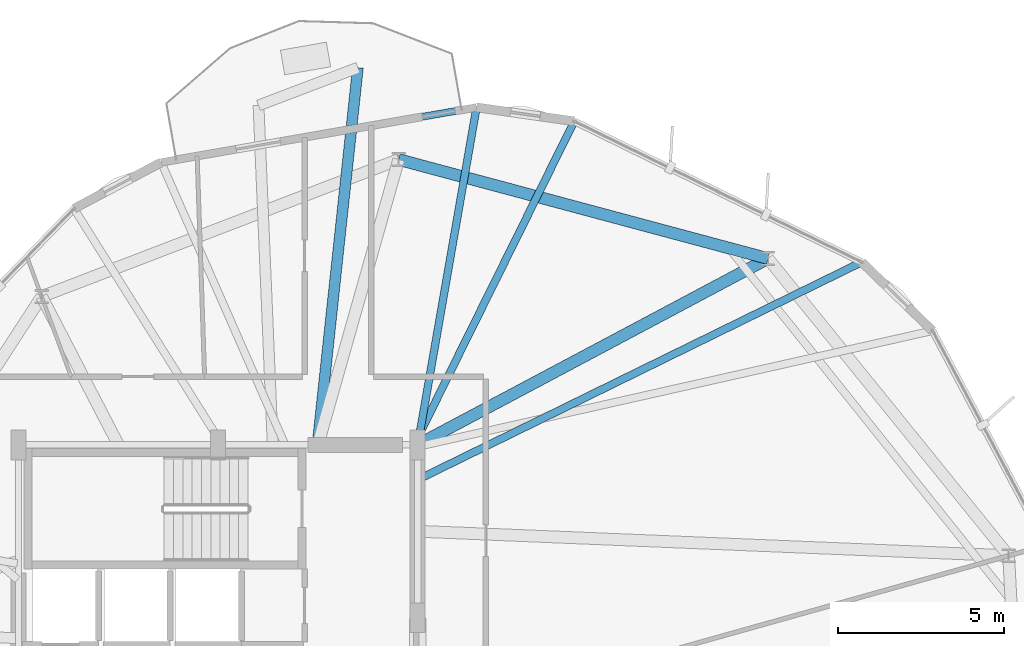
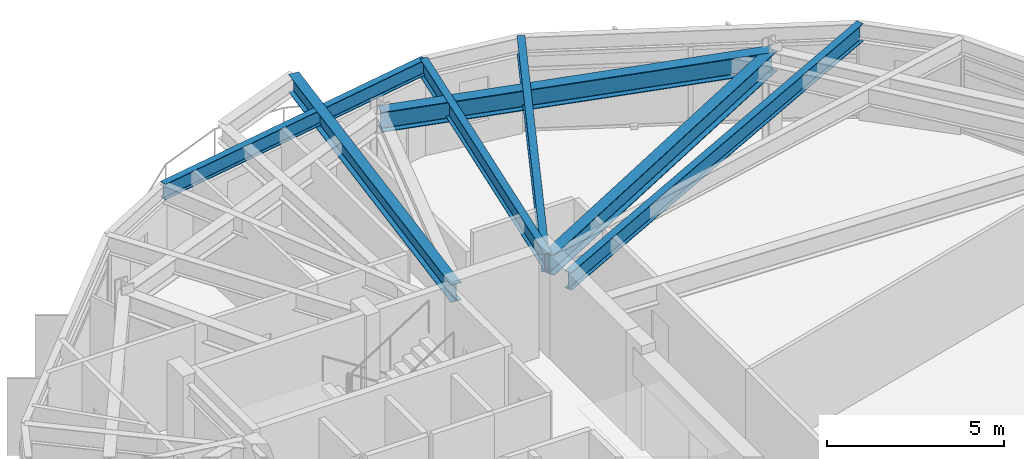
# One storey, part 18 of 28: 7 beams.
"""IFC4 building model written with IfcOpenShell, lengths in metres."""

from ifc_helpers import new_model, si_unit, direction, frame, origin, origin_2d, place, context, subcontext, project, spatial, i_section, extrude, material, material_profile, profile_set, type_object, element, save


model = new_model("IFC4")

# Units and contexts
model_context = context("Model", 3, precision=1e-05, world=origin(), true_north=direction((0.0, 1.0)))
body_context = subcontext(model_context, "Body", "Model", "MODEL_VIEW")
ifc_project = project(units=[si_unit("LENGTHUNIT", "METRE"), si_unit("AREAUNIT", "SQUARE_METRE"), si_unit("VOLUMEUNIT", "CUBIC_METRE"), si_unit("PLANEANGLEUNIT", "RADIAN"), si_unit("MASSUNIT", "GRAM", prefix="KILO")], contexts=[model_context])

# Site, building, storey
site_placement = place(None, origin())
site = spatial("IfcSite", under=ifc_project, at=site_placement, CompositionType="ELEMENT")
building_placement = place(site_placement, origin())
building = spatial("IfcBuilding", under=site, at=building_placement, Name="Soratama Intermodal Tower", CompositionType="ELEMENT")
storey_placement = place(building_placement, frame((0.0, 0.0, 201.39990234375)))
storey = spatial("IfcBuildingStorey", under=building, at=storey_placement, Name="L50", CompositionType="ELEMENT", Elevation=201.39990234375)

# Beams
ifc_material_1 = material(Name="Structural steel ASTM A992 Grade 50", Category="steel")
ifc_material_profile_1 = material_profile(ifc_material_1, i_section(OverallWidth=0.324951171875, OverallDepth=0.615966796875, WebThickness=0.013916015625, FlangeThickness=0.021484375, FilletRadius=0.013916015625, at=origin_2d()), Name="W24X117")
ifc_profile_set_1 = profile_set([ifc_material_profile_1], Name="Structural steel ASTM A992 Grade 50")
beam_type_1 = type_object("IfcBeamType", Name="BM-CANT-W24X117", PredefinedType="BEAM", material=ifc_profile_set_1)
beam_1_placement = place(storey_placement, frame((41.591064453125, 35.0400390625, 2.9921875), z_axis=(0.106581682057, 0.994303950032, 0.0), x_axis=(-0.994303950032, 0.106581682057, 0.0)))
element("IfcBeam", 1, at=beam_1_placement, inside=storey, type_object=beam_type_1, Name="BM-L50-CANT-2-1", PredefinedType="BEAM", context=body_context, shape_type="SweptSolid", body=[
    extrude(i_section(OverallWidth=0.324951171875, OverallDepth=0.615966796875, WebThickness=0.013916015625, FlangeThickness=0.021484375, FilletRadius=0.013916015625, at=origin_2d()), origin(), (0.0, 0.0, 1.0), 11.361572265625),
])
ifc_material_2 = material(Name="Structural steel ASTM A992 Grade 50", Category="steel")
ifc_material_profile_2 = material_profile(ifc_material_2, i_section(OverallWidth=0.35498046875, OverallDepth=0.695068359375, WebThickness=0.015380859375, FlangeThickness=0.02490234375, FilletRadius=0.01611328125, at=origin_2d()), Name="W27X146")
ifc_profile_set_2 = profile_set([ifc_material_profile_2], Name="Structural steel ASTM A992 Grade 50")
beam_type_2 = type_object("IfcBeamType", Name="BM-RING-W27X146", PredefinedType="BEAM", material=ifc_profile_set_2)
beam_2_placement = place(storey_placement, frame((55.1298828125, 40.59912109375, 2.95263671875), z_axis=(-0.965907374298, 0.258887899055, 0.0), x_axis=(-0.258887899055, -0.965907374298, 0.0)))
element("IfcBeam", 2, at=beam_2_placement, inside=storey, type_object=beam_type_2, Name="BM-L50-RING-02", PredefinedType="BEAM", context=body_context, shape_type="SweptSolid", body=[
    extrude(i_section(OverallWidth=0.35498046875, OverallDepth=0.695068359375, WebThickness=0.015380859375, FlangeThickness=0.02490234375, FilletRadius=0.01611328125, at=origin_2d()), origin(), (0.0, 0.0, 1.0), 11.49462890625),
])
beam_3_placement = place(storey_placement, frame((44.60009765625, 35.0, 2.95263671875), z_axis=(0.882935948236, 0.469493462482, 0.0), x_axis=(-0.469493462482, 0.882935948236, 0.0)))
element("IfcBeam", 3, at=beam_3_placement, inside=storey, type_object=beam_type_2, Name="BM-L50-RAD-02", PredefinedType="BEAM", context=body_context, shape_type="SweptSolid", body=[
    extrude(i_section(OverallWidth=0.35498046875, OverallDepth=0.695068359375, WebThickness=0.015380859375, FlangeThickness=0.02490234375, FilletRadius=0.01611328125, at=origin_2d()), origin(), (0.0, 0.0, 1.0), 11.92578125),
])
ifc_material_3 = material(Name="Structural steel ASTM A992 Grade 50", Category="steel")
ifc_material_profile_3 = material_profile(ifc_material_3, i_section(OverallWidth=0.2099609375, OverallDepth=0.537109375, WebThickness=0.010986328125, FlangeThickness=0.017333984375, FilletRadius=0.012939453125, at=origin_2d()), Name="W21X68")
ifc_profile_set_3 = profile_set([ifc_material_profile_3], Name="Structural steel ASTM A992 Grade 50")
beam_type_3 = type_object("IfcBeamType", Name="BM-SPN-W21X68", PredefinedType="SPANDREL", material=ifc_profile_set_3)
beam_4_placement = place(storey_placement, frame((46.368896484375, 45.14501953125, 3.031494140625), z_axis=(-0.985120572097, -0.17186465149, 0.0), x_axis=(0.17186465149, -0.985120572097, 0.0)))
element("IfcBeam", 4, at=beam_4_placement, inside=storey, type_object=beam_type_3, Name="BS-L50-F02", PredefinedType="SPANDREL", context=body_context, shape_type="SweptSolid", body=[
    extrude(i_section(OverallWidth=0.2099609375, OverallDepth=0.537109375, WebThickness=0.010986328125, FlangeThickness=0.017333984375, FilletRadius=0.012939453125, at=origin_2d()), origin(), (0.0, 0.0, 1.0), 9.624267578125),
])
ifc_material_4 = material(Name="Structural steel ASTM A992 Grade 50", Category="steel")
ifc_material_profile_4 = material_profile(ifc_material_4, i_section(OverallWidth=0.22900390625, OverallDepth=0.612060546875, WebThickness=0.011962890625, FlangeThickness=0.01953125, FilletRadius=0.012939453125, at=origin_2d()), Name="W24X84")
ifc_profile_set_4 = profile_set([ifc_material_profile_4], Name="Structural steel ASTM A992 Grade 50")
beam_type_4 = type_object("IfcBeamType", Name="BM-TIE-W24X84", PredefinedType="BEAM", material=ifc_profile_set_4)
beam_5_placement = place(storey_placement, frame((44.635986328125, 33.968017578125, 2.994140625), z_axis=(0.897949305951, 0.440098902455, 0.0), x_axis=(-0.440098902455, 0.897949305951, 0.0)))
element("IfcBeam", 5, at=beam_5_placement, inside=storey, type_object=beam_type_4, Name="BM-L50-TIE0-01", PredefinedType="BEAM", context=body_context, shape_type="SweptSolid", body=[
    extrude(i_section(OverallWidth=0.22900390625, OverallDepth=0.612060546875, WebThickness=0.011962890625, FlangeThickness=0.01953125, FilletRadius=0.012939453125, at=origin_2d()), origin(), (0.0, 0.0, 1.0), 14.825927734375),
])
beam_6_placement = place(storey_placement, frame((44.512939453125, 35.035888671875, 2.994140625), z_axis=(0.443316340965, 0.896365227925, 0.0), x_axis=(-0.896365227925, 0.443316340965, 0.0)))
element("IfcBeam", 6, at=beam_6_placement, inside=storey, type_object=beam_type_4, Name="BM-L50-TIE1-01", PredefinedType="BEAM", context=body_context, shape_type="SweptSolid", body=[
    extrude(i_section(OverallWidth=0.22900390625, OverallDepth=0.612060546875, WebThickness=0.011962890625, FlangeThickness=0.01953125, FilletRadius=0.012939453125, at=origin_2d()), origin(), (0.0, 0.0, 1.0), 10.8115234375),
])
beam_7_placement = place(storey_placement, frame((44.60693359375, 35.035888671875, 2.994140625), z_axis=(0.171705636399, 0.985148300729, 0.0), x_axis=(-0.985148300729, 0.171705636399, 0.0)))
element("IfcBeam", 7, at=beam_7_placement, inside=storey, type_object=beam_type_4, Name="BM-L50-TIE0-02", PredefinedType="BEAM", context=body_context, shape_type="SweptSolid", body=[
    extrude(i_section(OverallWidth=0.22900390625, OverallDepth=0.612060546875, WebThickness=0.011962890625, FlangeThickness=0.01953125, FilletRadius=0.012939453125, at=origin_2d()), origin(), (0.0, 0.0, 1.0), 10.261474609375),
])

save(model, "model.ifc")
